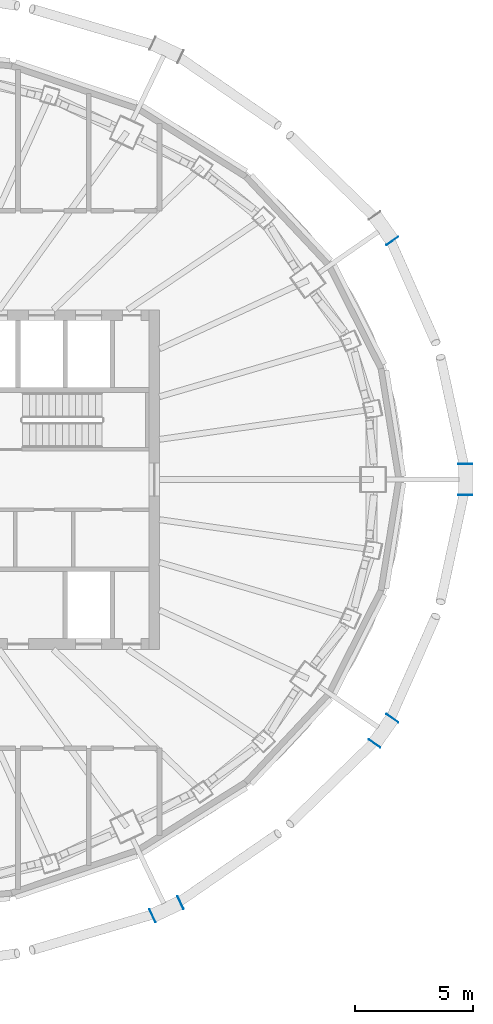
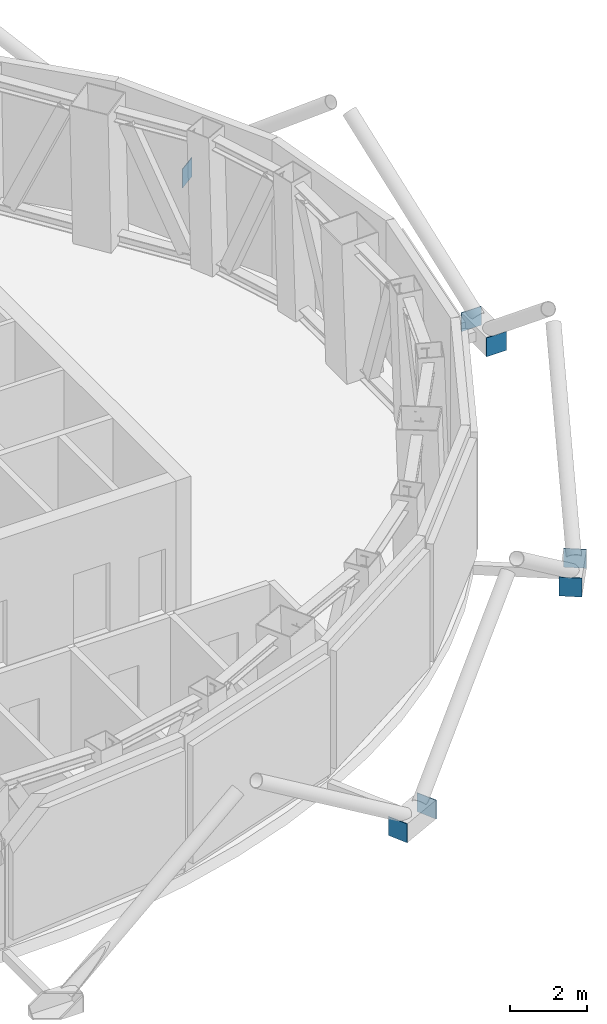
# One storey, part 10 of 15: 7 discrete accessories.
"""IFC4 building model written with IfcOpenShell, lengths in metres."""

import ifcopenshell
import ifcopenshell.guid

model = None  # the IFC model being written
_history = None  # IfcOwnerHistory: only IFC2X3 demands one
_inside = {}  # id of a spatial element -> (the spatial element, [elements in it])
_under = {}  # id of a project, library or spatial element -> (it, [spatial elements below it])
_declared = {}  # id of a project -> (the project, [libraries it declares])
_typed = {}  # id of a type object -> (the type object, [elements of that type])
_made_of = {}  # id of a material, layer set ... -> (it, [elements and type objects made of it])


def new_model(schema):
    """Start an empty IFC model of exactly this schema.

    Asked for "IFC4X3", IfcOpenShell would pick the latest addendum, in which some entities
    have other attributes; the version numbers below select the first issue.
    IFC2X3 requires an IfcOwnerHistory on every rooted entity: one is made here for all.
    """
    global model, _history
    if schema == "IFC4X3":
        model = ifcopenshell.file(schema_version=(4, 3, 0, 0))
    else:
        model = ifcopenshell.file(schema=schema)
    _inside.clear()
    _under.clear()
    _declared.clear()
    _typed.clear()
    _made_of.clear()
    _history = None
    if model.schema == "IFC2X3":
        org = make("IfcOrganization", Name="unknown")
        user = make(
            "IfcPersonAndOrganization",
            ThePerson=make("IfcPerson", FamilyName="unknown"),
            TheOrganization=org,
        )
        app = make(
            "IfcApplication",
            ApplicationDeveloper=org,
            Version="unknown",
            ApplicationFullName="unknown",
            ApplicationIdentifier="unknown",
        )
        _history = make(
            "IfcOwnerHistory",
            OwningUser=user,
            OwningApplication=app,
            ChangeAction="ADDED",
            CreationDate=0,
        )
    return model


def make(cls, **values):
    """One entity of the class cls with the attributes given. An attribute that is None is left unset."""
    return model.create_entity(
        cls, **{name: value for name, value in values.items() if value is not None}
    )


def rooted(cls, **values):
    """An entity with a GlobalId (a new one), such as an element, a storey or a relation."""
    return make(cls, GlobalId=ifcopenshell.guid.new(), OwnerHistory=_history, **values)


def si_unit(unit_type, name, prefix=None):
    """IfcSIUnit, for example si_unit("LENGTHUNIT", "METRE", prefix="MILLI")."""
    return make("IfcSIUnit", UnitType=unit_type, Prefix=prefix, Name=name)


def assignment(units):
    """IfcUnitAssignment: the units of a project."""
    return None if units is None else make("IfcUnitAssignment", Units=units)


def point(xyz):
    """IfcCartesianPoint."""
    return None if xyz is None else make("IfcCartesianPoint", Coordinates=xyz)


def direction(xyz):
    """IfcDirection."""
    return None if xyz is None else make("IfcDirection", DirectionRatios=xyz)


def frame(location, z_axis=None, x_axis=None):
    """IfcAxis2Placement3D, a coordinate frame: its origin and axes. An axis left out is left unset."""
    return make(
        "IfcAxis2Placement3D",
        Location=point(location),
        Axis=direction(z_axis),
        RefDirection=direction(x_axis),
    )


def frame_2d(location, x_axis=None):
    """IfcAxis2Placement2D, a coordinate frame in the plane: its origin and x axis."""
    return make(
        "IfcAxis2Placement2D", Location=point(location), RefDirection=direction(x_axis)
    )


def origin():
    """The frame at (0, 0, 0) with its axes left unset."""
    return frame((0.0, 0.0, 0.0))


def origin_2d():
    """The frame at (0, 0) in the plane with its x axis left unset."""
    return frame_2d((0.0, 0.0))


def place(relative_to, where):
    """IfcLocalPlacement: puts the frame where relative to a parent placement (None: the world)."""
    return make(
        "IfcLocalPlacement", PlacementRelTo=relative_to, RelativePlacement=where
    )


def context(
    kind, dimensions, precision=None, world=None, true_north=None, identifier=None
):
    """IfcGeometricRepresentationContext, for example the 3D "Model" context."""
    return make(
        "IfcGeometricRepresentationContext",
        ContextIdentifier=identifier,
        ContextType=kind,
        CoordinateSpaceDimension=dimensions,
        Precision=precision,
        WorldCoordinateSystem=world,
        TrueNorth=true_north,
    )


def subcontext(parent, identifier, kind, view, scale=None):
    """IfcGeometricRepresentationSubContext, for example "Body" below "Model"."""
    return make(
        "IfcGeometricRepresentationSubContext",
        ContextIdentifier=identifier,
        ContextType=kind,
        ParentContext=parent,
        TargetScale=scale,
        TargetView=view,
    )


def project(units=None, contexts=None):
    """IfcProject with its units and contexts."""
    return rooted(
        "IfcProject",
        Name="project",
        RepresentationContexts=contexts,
        UnitsInContext=assignment(units),
    )


def spatial(cls, under=None, at=None, **own):
    """A site, building, storey or space (cls), placed at a placement, below another one or the project."""
    s = rooted(cls, ObjectPlacement=at, **own)
    if under is not None:
        _under.setdefault(under.id(), (under, []))[1].append(s)
    return s


def profile(cls, at=None, kind="AREA", **sizes):
    """A parametric profile (cls). Its sizes go by their IFC names, for example OverallWidth=200.0."""
    return make(cls, ProfileType=kind, Position=at, **sizes)


def rectangle(**sizes):
    """IfcRectangleProfileDef."""
    return profile("IfcRectangleProfileDef", **sizes)


def extrude(swept, where, along, depth):
    """IfcExtrudedAreaSolid: the profile swept, set in the frame where, extruded along a direction by depth."""
    return make(
        "IfcExtrudedAreaSolid",
        SweptArea=swept,
        Position=where,
        ExtrudedDirection=direction(along),
        Depth=depth,
    )


def shape(context_of_items, identifier, shape_type, items):
    """IfcShapeRepresentation: the items that make up one representation, for example the "Body"."""
    return make(
        "IfcShapeRepresentation",
        ContextOfItems=context_of_items,
        RepresentationIdentifier=identifier,
        RepresentationType=shape_type,
        Items=items,
    )


def material(Name=None, Category=None):
    """IfcMaterial."""
    return make("IfcMaterial", Name=Name, Category=Category)


def layer(
    of_material, thickness, ventilated=None, Name=None, Category=None, Priority=None
):
    """IfcMaterialLayer: one layer of a wall or slab, of a material (None: an air gap)."""
    return make(
        "IfcMaterialLayer",
        Material=of_material,
        LayerThickness=thickness,
        IsVentilated=ventilated,
        Name=Name,
        Category=Category,
        Priority=Priority,
    )


def layer_set(layers, Name=None):
    """IfcMaterialLayerSet."""
    return make("IfcMaterialLayerSet", MaterialLayers=layers, LayerSetName=Name)


def made_of(thing, what):
    """Note that an element or type object is made of a material, layer set ...; save() writes the relation."""
    if what is not None:
        _made_of.setdefault(what.id(), (what, []))[1].append(thing)
    return thing


def type_object(cls, material=None, **own):
    """A type object (cls), such as IfcWallType, which elements share."""
    return made_of(rooted(cls, **own), material)


def element(
    cls,
    number,
    at=None,
    inside=None,
    cuts=None,
    type_object=None,
    material=None,
    context=None,
    identifier="Body",
    shape_type=None,
    held_by="IfcProductDefinitionShape",
    body=None,
    shapes=None,
    **own,
):
    """One element of the class cls, such as IfcWall. Its Tag is "e" and its number.

    at: its placement. inside: the storey or other place that contains it. cuts: it is an
    opening in that element (IfcRelVoidsElement). A single representation is given by context,
    identifier, shape_type and body (its items); several are given by shapes. held_by: the class
    of the entity that holds the representations. save() writes the other relations.
    """
    e = rooted(cls, Tag="e%d" % number, ObjectPlacement=at, **own)
    if body is not None:
        shapes = [shape(context, identifier, shape_type, body)]
    if shapes is not None:
        e.Representation = make(held_by, Representations=shapes)
    if inside is not None:
        _inside.setdefault(inside.id(), (inside, []))[1].append(e)
    if cuts is not None:
        rooted(
            "IfcRelVoidsElement", RelatingBuildingElement=cuts, RelatedOpeningElement=e
        )
    if type_object is not None:
        _typed.setdefault(type_object.id(), (type_object, []))[1].append(e)
    return made_of(e, material)


def aggregate(whole, parts):
    """IfcRelAggregates: a whole, such as a stair, and the parts it consists of."""
    return rooted("IfcRelAggregates", RelatingObject=whole, RelatedObjects=parts)


def save(model, path):
    """Write the relations noted so far, then the file.

    IfcRelAggregates (storeys below a building ...), IfcRelContainedInSpatialStructure (elements
    in a storey), IfcRelDefinesByType, IfcRelAssociatesMaterial and IfcRelDeclares: one each for
    every whole, place, type object, material and project.
    """
    for whole, parts in _under.values():
        aggregate(whole, parts)
    for where, things in _inside.values():
        rooted(
            "IfcRelContainedInSpatialStructure",
            RelatedElements=things,
            RelatingStructure=where,
        )
    for kind, things in _typed.values():
        rooted("IfcRelDefinesByType", RelatedObjects=things, RelatingType=kind)
    for what, things in _made_of.values():
        rooted("IfcRelAssociatesMaterial", RelatedObjects=things, RelatingMaterial=what)
    for by, libraries in _declared.values():
        rooted("IfcRelDeclares", RelatingContext=by, RelatedDefinitions=libraries)
    model.write(path)


model = new_model("IFC4")

# Units and contexts
model_context = context("Model", 3, precision=1e-05, world=origin(), true_north=direction((0.0, 1.0)))
body_context = subcontext(model_context, "Body", "Model", "MODEL_VIEW")
ifc_project = project(units=[si_unit("LENGTHUNIT", "METRE"), si_unit("AREAUNIT", "SQUARE_METRE"), si_unit("VOLUMEUNIT", "CUBIC_METRE"), si_unit("PLANEANGLEUNIT", "RADIAN"), si_unit("MASSUNIT", "GRAM", prefix="KILO")], contexts=[model_context])

# Site, building, storey
site_placement = place(None, origin())
site = spatial("IfcSite", under=ifc_project, at=site_placement, CompositionType="ELEMENT")
building_placement = place(site_placement, origin())
building = spatial("IfcBuilding", under=site, at=building_placement, Name="Siaravel Broadcast Tower", CompositionType="ELEMENT")
storey_placement = place(building_placement, frame((0.0, 0.0, 212.60009765625)))
storey = spatial("IfcBuildingStorey", under=building, at=storey_placement, Name="L51", CompositionType="ELEMENT", Elevation=212.60009765625)

# Discrete accessories
ifc_material = material(Name="Steel S355", Category="steel")
ifc_layer = layer(ifc_material, 0.02001953125)
ifc_layer_set = layer_set([ifc_layer], Name="Steel S355")
discrete_accessory_type = type_object("IfcDiscreteAccessoryType", Name="Steel end plate 20 mm", PredefinedType="USERDEFINED", material=ifc_layer_set)
for number, where, z_axis, x_axis, name in (
    (1, (24.97607421875, 0.65673828125, -0.500244140625), (0.0, 0.0, 1.0), (0.0, 1.0, 0.0), "End plate R21 station 00A"),
    (2, (24.97607421875, -0.65673828125, -0.500244140625), (0.0, 0.0, 1.0), (0.0, 1.0, 0.0), "End plate R21 station 00B"),
    (3, (21.881591796875, 10.12548828125, -0.500244140625), (0.0, 0.0, 1.0), (-0.576118513, 0.817366172, 0.0), "End plate R21 station 06B"),
    (4, (12.893310546875, -17.942626953125, -0.500244140625), (0.0, 0.0, 1.0), (0.904006456, 0.427518805, 0.0), "End plate R21 station 60A"),
    (5, (11.705810546875, -18.504150390625, -0.500244140625), (0.0, 0.0, 1.0), (0.904006456, 0.427518805, 0.0), "End plate R21 station 60B"),
    (6, (21.881591796875, -10.12548828125, -0.500244140625), (0.0, 0.0, 1.0), (0.576118513, 0.817366172, 0.0), "End plate R21 station 66A"),
    (7, (21.125, -11.198974609375, -0.500244140625), (0.0, 0.0, 1.0), (0.576118513, 0.817366172, 0.0), "End plate R21 station 66B"),
):
    element("IfcDiscreteAccessory", number, at=place(storey_placement, frame(where, z_axis=z_axis, x_axis=x_axis)), inside=storey, type_object=discrete_accessory_type, Name=name, ObjectType="END PLATE", PredefinedType="USERDEFINED", context=body_context, shape_type="SweptSolid", body=[
        extrude(rectangle(XDim=0.02001953125, YDim=0.60009765625, at=origin_2d()), origin(), (0.0, 0.0, 1.0), 0.60009765625),
    ])

save(model, "model.ifc")
